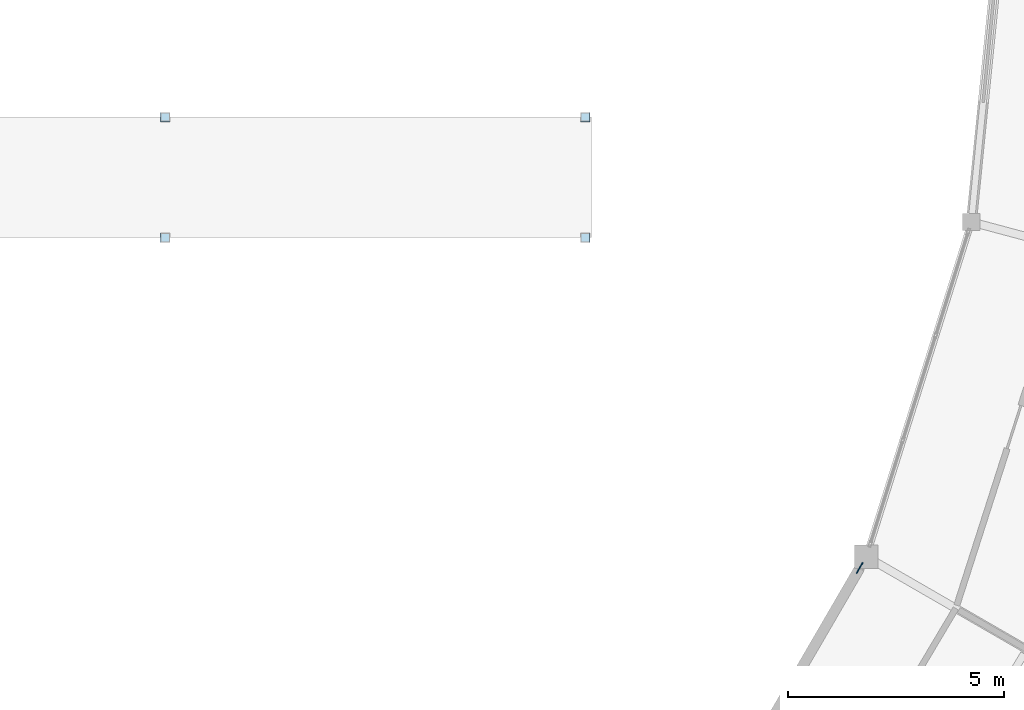
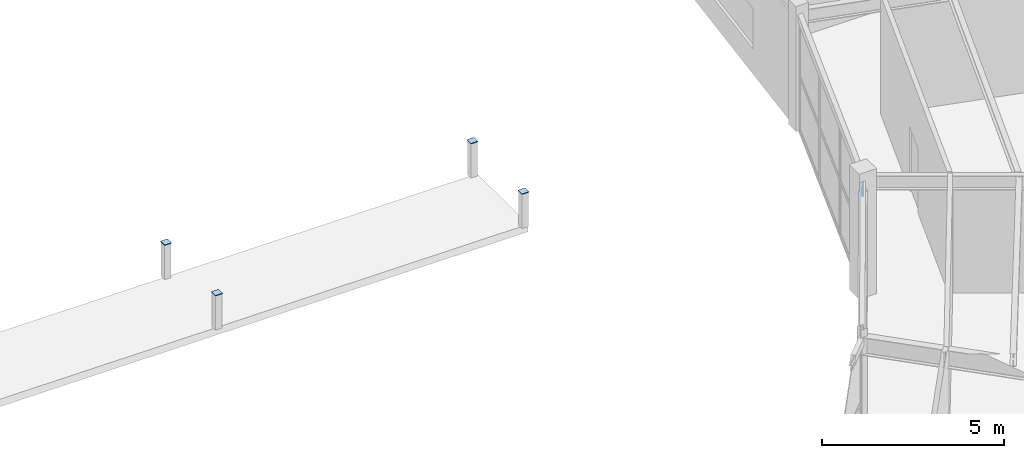
# One storey, part 131 of 157: 5 plates.
"""IFC4 building model written with IfcOpenShell, lengths in metres."""

from ifc_helpers import new_model, si_unit, direction, frame, origin, origin_2d, place, context, subcontext, project, spatial, rectangle, extrude, material, layer, layer_set, type_object, element, save


model = new_model("IFC4")

# Units and contexts
model_context = context("Model", 3, precision=1e-05, world=origin(), true_north=direction((0.0, 1.0)))
body_context = subcontext(model_context, "Body", "Model", "MODEL_VIEW")
ifc_project = project(units=[si_unit("LENGTHUNIT", "METRE"), si_unit("AREAUNIT", "SQUARE_METRE"), si_unit("VOLUMEUNIT", "CUBIC_METRE"), si_unit("PLANEANGLEUNIT", "RADIAN"), si_unit("MASSUNIT", "GRAM", prefix="KILO")], contexts=[model_context])

# Site, building, storey
site_placement = place(None, origin())
site = spatial("IfcSite", under=ifc_project, at=site_placement, CompositionType="ELEMENT")
building_placement = place(site_placement, origin())
building = spatial("IfcBuilding", under=site, at=building_placement, Name="Karori Crest Natural Sciences Institute", CompositionType="ELEMENT")
storey_placement = place(building_placement, frame((0.0, 0.0, 13.300048828125)))
storey = spatial("IfcBuildingStorey", under=building, at=storey_placement, Name="L03", CompositionType="ELEMENT", Elevation=13.300048828125)

# Plates
ifc_material = material(Name="Structural steel AS/NZS 3679.1 Grade 350", Category="steel")
ifc_layer_1 = layer(ifc_material, 0.02490234375, Name="Structural steel AS/NZS 3679.1 Grade 350")
ifc_layer_set_1 = layer_set([ifc_layer_1], Name="Structural steel AS/NZS 3679.1 Grade 350")
plate_type_1 = type_object("IfcPlateType", Name="PLT-06", PredefinedType="SHEET", material=ifc_layer_set_1)
plate_placement = place(storey_placement, frame((87.380126953125, 33.540771484375, 3.5205078125), z_axis=(0.0, 0.0, 1.0), x_axis=(0.502651840669, 0.86448893982, 0.0)))
element("IfcPlate", 1, at=plate_placement, inside=storey, type_object=plate_type_1, Name="Brace gusset plate EP-0040", PredefinedType="SHEET", context=body_context, shape_type="SweptSolid", body=[
    extrude(rectangle(XDim=0.299072265625, YDim=0.02490234375, at=origin_2d()), origin(), (0.0, 0.0, 1.0), 0.259033203125),
])
ifc_layer_2 = layer(ifc_material, 0.02490234375, Name="Structural steel AS/NZS 3679.1 Grade 350")
ifc_layer_set_2 = layer_set([ifc_layer_2], Name="Structural steel AS/NZS 3679.1 Grade 350")
plate_type_2 = type_object("IfcPlateType", Name="PLT-06-EL", PredefinedType="SHEET", material=ifc_layer_set_2)
for number, where, z_axis, x_axis, name in (
    (2, (71.27001953125, 41.199951171875, 1.14990234375), (0.0, 0.0, 1.0), (1.0, 0.0, 0.0), "Hollow section end cap EP-0167"),
    (3, (71.27001953125, 44.0, 1.14990234375), (0.0, 0.0, 1.0), (1.0, 0.0, 0.0), "Hollow section end cap EP-0170"),
    (4, (81.010009765625, 41.199951171875, 1.14990234375), (0.0, 0.0, 1.0), (1.0, 0.0, 0.0), "Hollow section end cap EP-0173"),
    (5, (81.010009765625, 44.0, 1.14990234375), (0.0, 0.0, 1.0), (1.0, 0.0, 0.0), "Hollow section end cap EP-0174"),
):
    element("IfcPlate", number, at=place(storey_placement, frame(where, z_axis=z_axis, x_axis=x_axis)), inside=storey, type_object=plate_type_2, Name=name, PredefinedType="SHEET", context=body_context, shape_type="SweptSolid", body=[
        extrude(rectangle(XDim=0.219970703125, YDim=0.219970703125, at=origin_2d()), origin(), (0.0, 0.0, 1.0), 0.02490234375),
    ])

save(model, "model.ifc")
